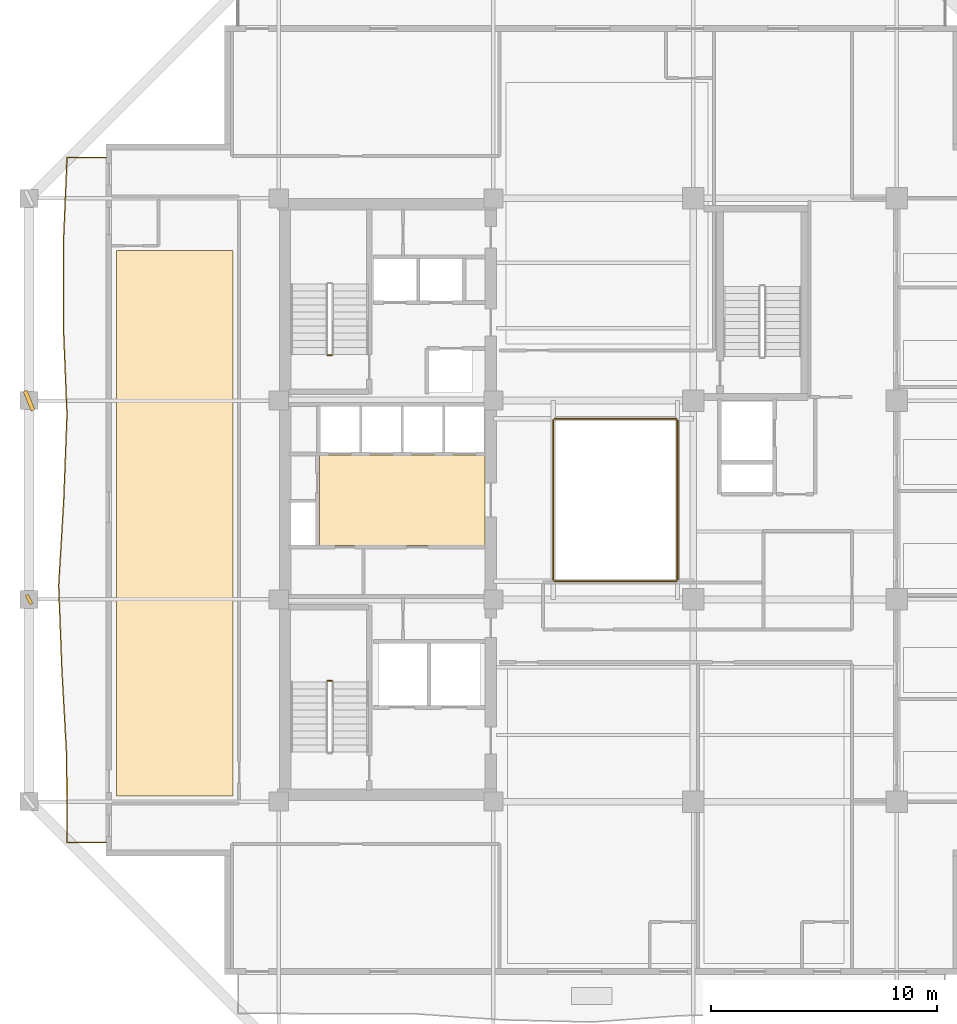
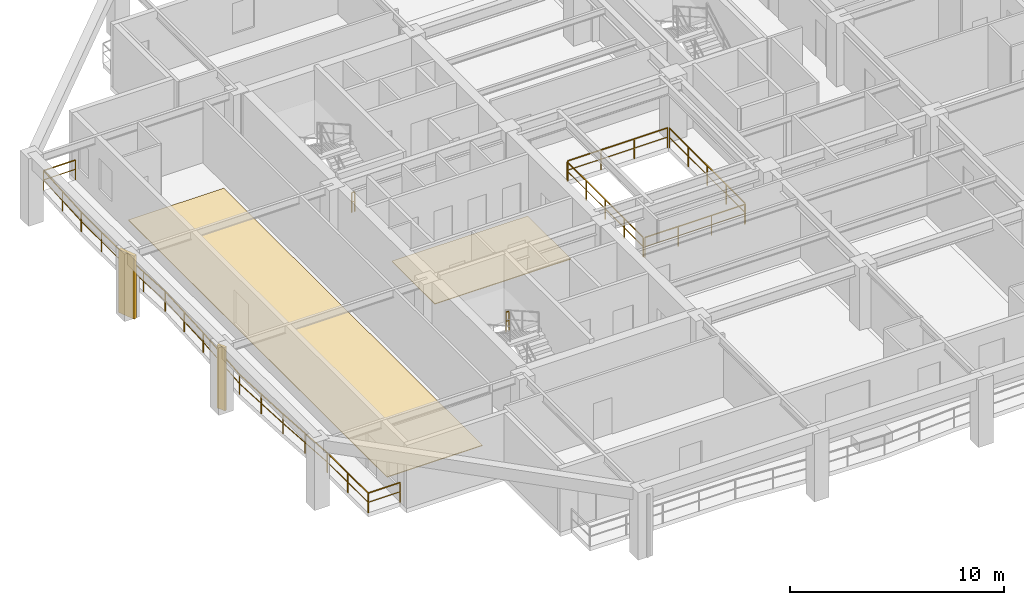
# One storey, part 9 of 13: 7 railings, 2 coverings, 2 shading devices.
"""IFC4 building model written with IfcOpenShell, lengths in metres."""

from ifc_helpers import new_model, si_unit, direction, frame, origin, origin_2d, place, context, subcontext, project, spatial, polyline, rectangle, outline, extrude, material, layer, layer_set, type_object, element, save


model = new_model("IFC4")

# Units and contexts
model_context = context("Model", 3, precision=1e-05, world=origin(), true_north=direction((0.0, 1.0)))
body_context = subcontext(model_context, "Body", "Model", "MODEL_VIEW")
ifc_project = project(units=[si_unit("LENGTHUNIT", "METRE"), si_unit("AREAUNIT", "SQUARE_METRE"), si_unit("VOLUMEUNIT", "CUBIC_METRE"), si_unit("PLANEANGLEUNIT", "RADIAN"), si_unit("MASSUNIT", "GRAM", prefix="KILO")], contexts=[model_context])

# Site, building, storey
site_placement = place(None, origin())
site = spatial("IfcSite", under=ifc_project, at=site_placement, CompositionType="ELEMENT")
building_placement = place(site_placement, origin())
building = spatial("IfcBuilding", under=site, at=building_placement, Name="Kundavana Baori Tower", CompositionType="ELEMENT")
storey_placement = place(building_placement, frame((0.0, 0.0, 192.550048828125)))
storey = spatial("IfcBuildingStorey", under=building, at=storey_placement, Name="L47", CompositionType="ELEMENT", Elevation=192.550048828125)

# Coverings
ifc_material_1 = material(Name="Honed Kota Stone and Terrazzo Flooring", Category="masonry")
ifc_layer = layer(ifc_material_1, 0.0400390625, Name="COV-FLR-TERR-40")
ifc_layer_set = layer_set([ifc_layer], Name="Honed Kota Stone and Terrazzo Flooring")
covering_type = type_object("IfcCoveringType", Name="COV-FLR-TERR-40", PredefinedType="FLOORING", material=ifc_layer_set)
covering_1_placement = place(storey_placement, origin())
element("IfcCovering", 1, at=covering_1_placement, inside=storey, type_object=covering_type, Name="L47 Room Finished Stone Flooring 1", PredefinedType="FLOORING", context=body_context, shape_type="SweptSolid", body=[
    extrude(outline(polyline([(8.280029296875, 15.5), (13.419921875, 15.5), (13.419921875, 39.64990234375), (8.280029296875, 39.64990234375), (8.280029296875, 15.5)])), origin(), (0.0, 0.0, 1.0), 0.0400390625),
])
covering_2_placement = place(storey_placement, origin())
element("IfcCovering", 2, at=covering_2_placement, inside=storey, type_object=covering_type, Name="L47 Core Lift Lobby Kota Stone Flooring", PredefinedType="FLOORING", context=body_context, shape_type="SweptSolid", body=[
    extrude(outline(polyline([(17.25, 26.580078125), (24.580078125, 26.580078125), (24.580078125, 30.60009765625), (17.25, 30.60009765625), (17.25, 26.580078125)])), origin(), (0.0, 0.0, 1.0), 0.0400390625),
])

# Railings
ifc_material_2 = material(Name="Architectural Patinated Bronze Metalwork")
railing_type_1 = type_object("IfcRailingType", Name="RL-BAL-1150", PredefinedType="BALUSTRADE", material=ifc_material_2)
railing_1_placement = place(storey_placement, frame((7.800048828125, 13.449951171875, 0.0)))
element("IfcRailing", 3, at=railing_1_placement, inside=storey, type_object=railing_type_1, Name="L47 Loggia Balcony Balustrade W", PredefinedType="BALUSTRADE", context=body_context, shape_type="SweptSolid", body=[
    extrude(rectangle(XDim=0.048095703125, YDim=0.048095703125, at=origin_2d()), frame((0.0, 0.0, 1.1259765625), z_axis=(-1.0, 0.0, 0.0), x_axis=(0.0, -1.0, 0.0)), (0.0, 0.0, 1.0), 1.719970703125),
    extrude(rectangle(XDim=0.03125, YDim=0.03125, at=origin_2d()), frame((0.0, 0.0, 0.597900390625), z_axis=(-1.0, 0.0, 0.0), x_axis=(0.0, -1.0, 0.0)), (0.0, 0.0, 1.0), 1.719970703125),
    extrude(rectangle(XDim=0.048095703125, YDim=0.048095703125, at=origin_2d()), frame((-1.719970703125, 0.0, 1.1259765625), z_axis=(-0.004511426118, 0.999989823465, 0.0), x_axis=(-0.999989823465, -0.004511426118, 0.0)), (0.0, 0.0, 1.0), 3.7880859375),
    extrude(rectangle(XDim=0.03125, YDim=0.03125, at=origin_2d()), frame((-1.719970703125, 0.0, 0.597900390625), z_axis=(-0.004511426118, 0.999989823465, 0.0), x_axis=(-0.999989823465, -0.004511426118, 0.0)), (0.0, 0.0, 1.0), 3.7880859375),
    extrude(rectangle(XDim=0.048095703125, YDim=0.048095703125, at=origin_2d()), frame((-1.737060546875, 3.7880859375, 1.1259765625), z_axis=(-0.055102795944, 0.998480686783, 0.0), x_axis=(-0.998480686783, -0.055102795944, 0.0)), (0.0, 0.0, 1.0), 3.792724609375),
    extrude(rectangle(XDim=0.03125, YDim=0.03125, at=origin_2d()), frame((-1.737060546875, 3.7880859375, 0.597900390625), z_axis=(-0.055102795944, 0.998480686783, 0.0), x_axis=(-0.998480686783, -0.055102795944, 0.0)), (0.0, 0.0, 1.0), 3.792724609375),
    extrude(rectangle(XDim=0.048095703125, YDim=0.048095703125, at=origin_2d()), frame((-1.946044921875, 7.574951171875, 1.1259765625), z_axis=(-0.038264889941, 0.999267630917, 0.0), x_axis=(-0.999267630917, -0.038264889941, 0.0)), (0.0, 0.0, 1.0), 3.789794921875),
    extrude(rectangle(XDim=0.03125, YDim=0.03125, at=origin_2d()), frame((-1.946044921875, 7.574951171875, 0.597900390625), z_axis=(-0.038264889941, 0.999267630917, 0.0), x_axis=(-0.999267630917, -0.038264889941, 0.0)), (0.0, 0.0, 1.0), 3.789794921875),
    extrude(rectangle(XDim=0.048095703125, YDim=0.048095703125, at=origin_2d()), frame((-2.091064453125, 11.362060546875, 1.1259765625), z_axis=(0.05906145219, 0.998254348784, 0.0), x_axis=(-0.998254348784, 0.05906145219, 0.0)), (0.0, 0.0, 1.0), 3.794677734375),
    extrude(rectangle(XDim=0.03125, YDim=0.03125, at=origin_2d()), frame((-2.091064453125, 11.362060546875, 0.597900390625), z_axis=(0.05906145219, 0.998254348784, 0.0), x_axis=(-0.998254348784, 0.05906145219, 0.0)), (0.0, 0.0, 1.0), 3.794677734375),
    extrude(rectangle(XDim=0.048095703125, YDim=0.048095703125, at=origin_2d()), frame((-1.866943359375, 15.150146484375, 1.1259765625), z_axis=(0.037935934393, 0.999280173366, 0.0), x_axis=(-0.999280173366, 0.037935934393, 0.0)), (0.0, 0.0, 1.0), 3.79052734375),
    extrude(rectangle(XDim=0.03125, YDim=0.03125, at=origin_2d()), frame((-1.866943359375, 15.150146484375, 0.597900390625), z_axis=(0.037935934393, 0.999280173366, 0.0), x_axis=(-0.999280173366, 0.037935934393, 0.0)), (0.0, 0.0, 1.0), 3.79052734375),
    extrude(rectangle(XDim=0.048095703125, YDim=0.048095703125, at=origin_2d()), frame((-1.72314453125, 18.93798828125, 1.1259765625), z_axis=(-0.04083748829, 0.999165801832, 0.0), x_axis=(-0.999165801832, -0.04083748829, 0.0)), (0.0, 0.0, 1.0), 3.790283203125),
    extrude(rectangle(XDim=0.03125, YDim=0.03125, at=origin_2d()), frame((-1.72314453125, 18.93798828125, 0.597900390625), z_axis=(-0.04083748829, 0.999165801832, 0.0), x_axis=(-0.999165801832, -0.04083748829, 0.0)), (0.0, 0.0, 1.0), 3.790283203125),
    extrude(rectangle(XDim=0.048095703125, YDim=0.048095703125, at=origin_2d()), frame((-1.8779296875, 22.72509765625, 1.1259765625), z_axis=(-0.000838114592, 0.999999648782, 0.0), x_axis=(-0.999999648782, -0.000838114592, 0.0)), (0.0, 0.0, 1.0), 3.786865234375),
    extrude(rectangle(XDim=0.03125, YDim=0.03125, at=origin_2d()), frame((-1.8779296875, 22.72509765625, 0.597900390625), z_axis=(-0.000838114592, 0.999999648782, 0.0), x_axis=(-0.999999648782, -0.000838114592, 0.0)), (0.0, 0.0, 1.0), 3.786865234375),
    extrude(rectangle(XDim=0.048095703125, YDim=0.048095703125, at=origin_2d()), frame((-1.881103515625, 26.511962890625, 1.1259765625), z_axis=(0.042498305985, 0.999096538873, 0.0), x_axis=(-0.999096538873, 0.042498305985, 0.0)), (0.0, 0.0, 1.0), 3.79150390625),
    extrude(rectangle(XDim=0.03125, YDim=0.03125, at=origin_2d()), frame((-1.881103515625, 26.511962890625, 0.597900390625), z_axis=(0.042498305985, 0.999096538873, 0.0), x_axis=(-0.999096538873, 0.042498305985, 0.0)), (0.0, 0.0, 1.0), 3.79150390625),
    extrude(rectangle(XDim=0.048095703125, YDim=0.048095703125, at=origin_2d()), frame((-1.719970703125, 30.300048828125, 1.1259765625), z_axis=(1.0, 0.0, 0.0), x_axis=(0.0, 1.0, 0.0)), (0.0, 0.0, 1.0), 1.719970703125),
    extrude(rectangle(XDim=0.03125, YDim=0.03125, at=origin_2d()), frame((-1.719970703125, 30.300048828125, 0.597900390625), z_axis=(1.0, 0.0, 0.0), x_axis=(0.0, 1.0, 0.0)), (0.0, 0.0, 1.0), 1.719970703125),
    extrude(rectangle(XDim=0.0419921875, YDim=0.0419921875, at=origin_2d()), origin(), (0.0, 0.0, 1.0), 1.101806640625),
    extrude(rectangle(XDim=0.0419921875, YDim=0.0419921875, at=origin_2d()), frame((-1.719970703125, 0.0, 0.0)), (0.0, 0.0, 1.0), 1.101806640625),
    extrude(rectangle(XDim=0.0419921875, YDim=0.0419921875, at=origin_2d()), frame((-1.728515625, 1.89404296875, 0.0)), (0.0, 0.0, 1.0), 1.101806640625),
    extrude(rectangle(XDim=0.0419921875, YDim=0.0419921875, at=origin_2d()), frame((-1.737060546875, 3.7880859375, 0.0)), (0.0, 0.0, 1.0), 1.101806640625),
    extrude(rectangle(XDim=0.0419921875, YDim=0.0419921875, at=origin_2d()), frame((-1.841552734375, 5.681640625, 0.0)), (0.0, 0.0, 1.0), 1.101806640625),
    extrude(rectangle(XDim=0.0419921875, YDim=0.0419921875, at=origin_2d()), frame((-1.946044921875, 7.574951171875, 0.0)), (0.0, 0.0, 1.0), 1.101806640625),
    extrude(rectangle(XDim=0.0419921875, YDim=0.0419921875, at=origin_2d()), frame((-2.0185546875, 9.468505859375, 0.0)), (0.0, 0.0, 1.0), 1.101806640625),
    extrude(rectangle(XDim=0.0419921875, YDim=0.0419921875, at=origin_2d()), frame((-2.091064453125, 11.362060546875, 0.0)), (0.0, 0.0, 1.0), 1.101806640625),
    extrude(rectangle(XDim=0.0419921875, YDim=0.0419921875, at=origin_2d()), frame((-1.97900390625, 13.256103515625, 0.0)), (0.0, 0.0, 1.0), 1.101806640625),
    extrude(rectangle(XDim=0.0419921875, YDim=0.0419921875, at=origin_2d()), frame((-1.866943359375, 15.150146484375, 0.0)), (0.0, 0.0, 1.0), 1.101806640625),
    extrude(rectangle(XDim=0.0419921875, YDim=0.0419921875, at=origin_2d()), frame((-1.794921875, 17.0439453125, 0.0)), (0.0, 0.0, 1.0), 1.101806640625),
    extrude(rectangle(XDim=0.0419921875, YDim=0.0419921875, at=origin_2d()), frame((-1.72314453125, 18.93798828125, 0.0)), (0.0, 0.0, 1.0), 1.101806640625),
    extrude(rectangle(XDim=0.0419921875, YDim=0.0419921875, at=origin_2d()), frame((-1.800537109375, 20.83154296875, 0.0)), (0.0, 0.0, 1.0), 1.101806640625),
    extrude(rectangle(XDim=0.0419921875, YDim=0.0419921875, at=origin_2d()), frame((-1.8779296875, 22.72509765625, 0.0)), (0.0, 0.0, 1.0), 1.101806640625),
    extrude(rectangle(XDim=0.0419921875, YDim=0.0419921875, at=origin_2d()), frame((-1.87939453125, 24.61865234375, 0.0)), (0.0, 0.0, 1.0), 1.101806640625),
    extrude(rectangle(XDim=0.0419921875, YDim=0.0419921875, at=origin_2d()), frame((-1.881103515625, 26.511962890625, 0.0)), (0.0, 0.0, 1.0), 1.101806640625),
    extrude(rectangle(XDim=0.0419921875, YDim=0.0419921875, at=origin_2d()), frame((-1.800537109375, 28.406005859375, 0.0)), (0.0, 0.0, 1.0), 1.101806640625),
    extrude(rectangle(XDim=0.0419921875, YDim=0.0419921875, at=origin_2d()), frame((-1.719970703125, 30.300048828125, 0.0)), (0.0, 0.0, 1.0), 1.101806640625),
    extrude(rectangle(XDim=0.0419921875, YDim=0.0419921875, at=origin_2d()), frame((0.0, 30.300048828125, 0.0)), (0.0, 0.0, 1.0), 1.101806640625),
])
ifc_material_3 = material(Name="Architectural Patinated Bronze Metalwork")
railing_type_2 = type_object("IfcRailingType", Name="RL-GRD-1150", PredefinedType="GUARDRAIL", material=ifc_material_3)
for number, where, name in (
    (4, (17.7900390625, 20.60009765625, 1.925048828125), "L47 ST1 stair guard 2"),
    (5, (17.7900390625, 35.0, 0.0), "L47 ST2 stair guard 4"),
):
    element("IfcRailing", number, at=place(storey_placement, frame(where)), inside=storey, type_object=railing_type_2, Name=name, PredefinedType="GUARDRAIL", context=body_context, shape_type="SweptSolid", body=[
        extrude(rectangle(XDim=0.048095703125, YDim=0.048095703125, at=origin_2d()), frame((0.0, 0.0, 1.1259765625), z_axis=(-1.0, 0.0, 0.0), x_axis=(0.0, -1.0, 0.0)), (0.0, 0.0, 1.0), 0.16015625),
        extrude(rectangle(XDim=0.03125, YDim=0.03125, at=origin_2d()), frame((0.0, 0.0, 0.597900390625), z_axis=(-1.0, 0.0, 0.0), x_axis=(0.0, -1.0, 0.0)), (0.0, 0.0, 1.0), 0.16015625),
        extrude(rectangle(XDim=0.0419921875, YDim=0.0419921875, at=origin_2d()), origin(), (0.0, 0.0, 1.0), 1.101806640625),
        extrude(rectangle(XDim=0.0419921875, YDim=0.0419921875, at=origin_2d()), frame((-0.16015625, 0.0, 0.0)), (0.0, 0.0, 1.0), 1.101806640625),
    ])
railing_2_placement = place(storey_placement, frame((27.659912109375, 25.0, 0.0)))
element("IfcRailing", 6, at=railing_2_placement, inside=storey, type_object=railing_type_2, Name="L47 Atrium Void Perimeter Guardrail S", PredefinedType="GUARDRAIL", context=body_context, shape_type="SweptSolid", body=[
    extrude(rectangle(XDim=0.048095703125, YDim=0.048095703125, at=origin_2d()), frame((0.0, 0.0, 1.1259765625), z_axis=(1.0, 0.0, 0.0), x_axis=(0.0, 1.0, 0.0)), (0.0, 0.0, 1.0), 5.380126953125),
    extrude(rectangle(XDim=0.03125, YDim=0.03125, at=origin_2d()), frame((0.0, 0.0, 0.597900390625), z_axis=(1.0, 0.0, 0.0), x_axis=(0.0, 1.0, 0.0)), (0.0, 0.0, 1.0), 5.380126953125),
    extrude(rectangle(XDim=0.0419921875, YDim=0.0419921875, at=origin_2d()), origin(), (0.0, 0.0, 1.0), 1.101806640625),
    extrude(rectangle(XDim=0.0419921875, YDim=0.0419921875, at=origin_2d()), frame((1.79345703125, 0.0, 0.0)), (0.0, 0.0, 1.0), 1.101806640625),
    extrude(rectangle(XDim=0.0419921875, YDim=0.0419921875, at=origin_2d()), frame((3.586669921875, 0.0, 0.0)), (0.0, 0.0, 1.0), 1.101806640625),
    extrude(rectangle(XDim=0.0419921875, YDim=0.0419921875, at=origin_2d()), frame((5.380126953125, 0.0, 0.0)), (0.0, 0.0, 1.0), 1.101806640625),
])
railing_3_placement = place(storey_placement, frame((33.10009765625, 25.06005859375, 0.0)))
element("IfcRailing", 7, at=railing_3_placement, inside=storey, type_object=railing_type_2, Name="L47 Atrium Void Perimeter Guardrail E", PredefinedType="GUARDRAIL", context=body_context, shape_type="SweptSolid", body=[
    extrude(rectangle(XDim=0.048095703125, YDim=0.048095703125, at=origin_2d()), frame((0.0, 0.0, 1.1259765625), z_axis=(0.0, 1.0, 0.0), x_axis=(-1.0, 0.0, 0.0)), (0.0, 0.0, 1.0), 7.079833984375),
    extrude(rectangle(XDim=0.03125, YDim=0.03125, at=origin_2d()), frame((0.0, 0.0, 0.597900390625), z_axis=(0.0, 1.0, 0.0), x_axis=(-1.0, 0.0, 0.0)), (0.0, 0.0, 1.0), 7.079833984375),
    extrude(rectangle(XDim=0.0419921875, YDim=0.0419921875, at=origin_2d()), origin(), (0.0, 0.0, 1.0), 1.101806640625),
    extrude(rectangle(XDim=0.0419921875, YDim=0.0419921875, at=origin_2d()), frame((0.0, 1.77001953125, 0.0)), (0.0, 0.0, 1.0), 1.101806640625),
    extrude(rectangle(XDim=0.0419921875, YDim=0.0419921875, at=origin_2d()), frame((0.0, 3.5400390625, 0.0)), (0.0, 0.0, 1.0), 1.101806640625),
    extrude(rectangle(XDim=0.0419921875, YDim=0.0419921875, at=origin_2d()), frame((0.0, 5.309814453125, 0.0)), (0.0, 0.0, 1.0), 1.101806640625),
    extrude(rectangle(XDim=0.0419921875, YDim=0.0419921875, at=origin_2d()), frame((0.0, 7.079833984375, 0.0)), (0.0, 0.0, 1.0), 1.101806640625),
])
railing_4_placement = place(storey_placement, frame((33.0400390625, 32.199951171875, 0.0)))
element("IfcRailing", 8, at=railing_4_placement, inside=storey, type_object=railing_type_2, Name="L47 Atrium Void Perimeter Guardrail N", PredefinedType="GUARDRAIL", context=body_context, shape_type="SweptSolid", body=[
    extrude(rectangle(XDim=0.048095703125, YDim=0.048095703125, at=origin_2d()), frame((0.0, 0.0, 1.1259765625), z_axis=(-1.0, 0.0, 0.0), x_axis=(0.0, -1.0, 0.0)), (0.0, 0.0, 1.0), 5.380126953125),
    extrude(rectangle(XDim=0.03125, YDim=0.03125, at=origin_2d()), frame((0.0, 0.0, 0.597900390625), z_axis=(-1.0, 0.0, 0.0), x_axis=(0.0, -1.0, 0.0)), (0.0, 0.0, 1.0), 5.380126953125),
    extrude(rectangle(XDim=0.0419921875, YDim=0.0419921875, at=origin_2d()), origin(), (0.0, 0.0, 1.0), 1.101806640625),
    extrude(rectangle(XDim=0.0419921875, YDim=0.0419921875, at=origin_2d()), frame((-1.79345703125, 0.0, 0.0)), (0.0, 0.0, 1.0), 1.101806640625),
    extrude(rectangle(XDim=0.0419921875, YDim=0.0419921875, at=origin_2d()), frame((-3.586669921875, 0.0, 0.0)), (0.0, 0.0, 1.0), 1.101806640625),
    extrude(rectangle(XDim=0.0419921875, YDim=0.0419921875, at=origin_2d()), frame((-5.380126953125, 0.0, 0.0)), (0.0, 0.0, 1.0), 1.101806640625),
])
railing_5_placement = place(storey_placement, frame((27.60009765625, 32.139892578125, 0.0)))
element("IfcRailing", 9, at=railing_5_placement, inside=storey, type_object=railing_type_2, Name="L47 Atrium Void Perimeter Guardrail W", PredefinedType="GUARDRAIL", context=body_context, shape_type="SweptSolid", body=[
    extrude(rectangle(XDim=0.048095703125, YDim=0.048095703125, at=origin_2d()), frame((0.0, 0.0, 1.1259765625), z_axis=(0.0, -1.0, 0.0), x_axis=(1.0, 0.0, 0.0)), (0.0, 0.0, 1.0), 7.079833984375),
    extrude(rectangle(XDim=0.03125, YDim=0.03125, at=origin_2d()), frame((0.0, 0.0, 0.597900390625), z_axis=(0.0, -1.0, 0.0), x_axis=(1.0, 0.0, 0.0)), (0.0, 0.0, 1.0), 7.079833984375),
    extrude(rectangle(XDim=0.0419921875, YDim=0.0419921875, at=origin_2d()), origin(), (0.0, 0.0, 1.0), 1.101806640625),
    extrude(rectangle(XDim=0.0419921875, YDim=0.0419921875, at=origin_2d()), frame((0.0, -1.77001953125, 0.0)), (0.0, 0.0, 1.0), 1.101806640625),
    extrude(rectangle(XDim=0.0419921875, YDim=0.0419921875, at=origin_2d()), frame((0.0, -3.5400390625, 0.0)), (0.0, 0.0, 1.0), 1.101806640625),
    extrude(rectangle(XDim=0.0419921875, YDim=0.0419921875, at=origin_2d()), frame((0.0, -5.309814453125, 0.0)), (0.0, 0.0, 1.0), 1.101806640625),
    extrude(rectangle(XDim=0.0419921875, YDim=0.0419921875, at=origin_2d()), frame((0.0, -7.079833984375, 0.0)), (0.0, 0.0, 1.0), 1.101806640625),
])

# Shading devices
ifc_material_4 = material(Name="Red-Buff Dholpur Sandstone Cladding on Concrete C40/50", Category="masonry")
shading_device_type_1 = type_object("IfcShadingDeviceType", Name="SHD-FIN-920", PredefinedType="JALOUSIE", material=ifc_material_4)
shading_device_1_placement = place(storey_placement, frame((4.39990234375, 33.0, 0.0), z_axis=(0.0, 0.0, 1.0), x_axis=(0.926791059146, 0.375577332499, 0.0)))
element("IfcShadingDevice", 10, at=shading_device_1_placement, inside=storey, type_object=shading_device_type_1, Name="L47 Sweeping Dholpur Sandstone Facade Fin 7", PredefinedType="JALOUSIE", context=body_context, shape_type="SweptSolid", body=[
    extrude(rectangle(XDim=0.179931640625, YDim=0.919921875, at=origin_2d()), origin(), (0.0, 0.0, 1.0), 3.60009765625),
])
ifc_material_5 = material(Name="Architectural Patinated Bronze Metalwork")
shading_device_type_2 = type_object("IfcShadingDeviceType", Name="SHD-LOUV-450", PredefinedType="SHUTTER", material=ifc_material_5)
shading_device_2_placement = place(storey_placement, frame((4.39990234375, 24.199951171875, 0.0), z_axis=(0.0, 0.0, 1.0), x_axis=(0.886446038978, 0.462831956524, 0.0)))
element("IfcShadingDevice", 11, at=shading_device_2_placement, inside=storey, type_object=shading_device_type_2, Name="L47 Sweeping Dholpur Sandstone Facade Fin 6", PredefinedType="SHUTTER", context=body_context, shape_type="SweptSolid", body=[
    extrude(rectangle(XDim=0.139892578125, YDim=0.449951171875, at=origin_2d()), origin(), (0.0, 0.0, 1.0), 3.60009765625),
])

save(model, "model.ifc")
